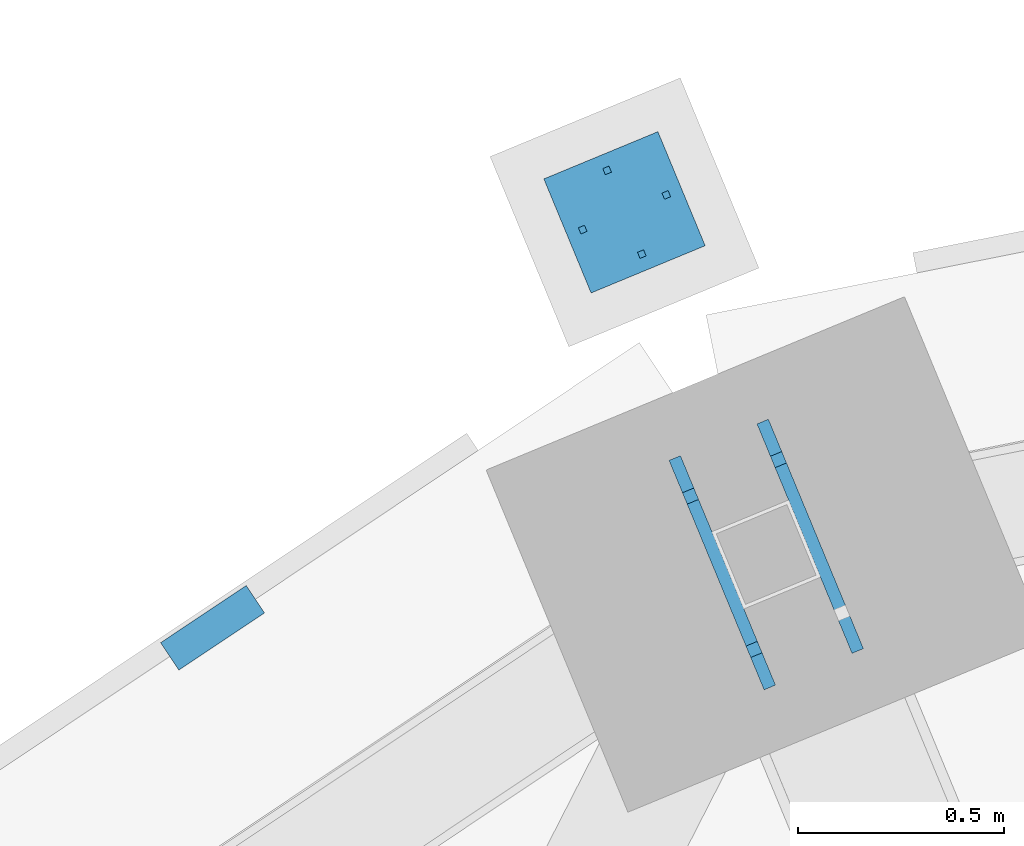
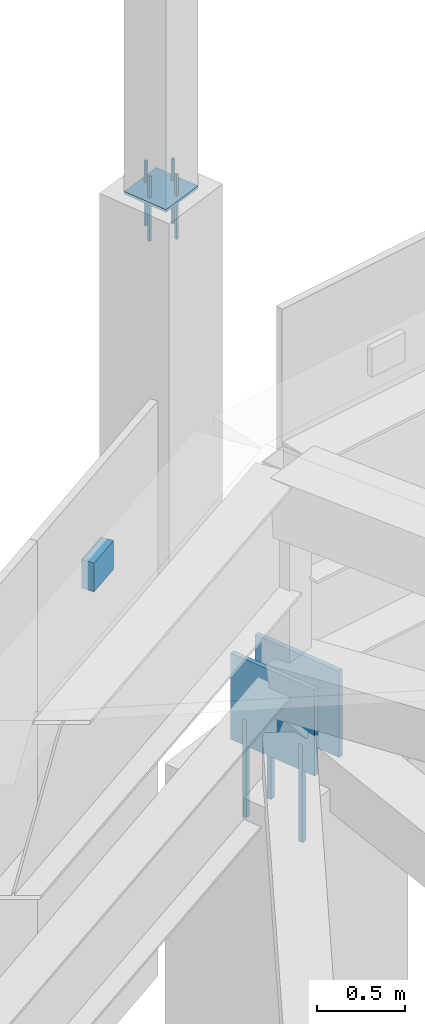
# One storey, part 226 of 278: 7 mechanical fasteners, 4 discrete accessories.
"""IFC4 building model written with IfcOpenShell, lengths in metres."""

from ifc_helpers import new_model, si_unit, direction, frame, origin, origin_2d, place, context, subcontext, project, spatial, rectangle, extrude, material, layer, layer_set, type_object, element, save


model = new_model("IFC4")

# Units and contexts
model_context = context("Model", 3, precision=1e-05, world=origin(), true_north=direction((0.0, 1.0)))
body_context = subcontext(model_context, "Body", "Model", "MODEL_VIEW")
ifc_project = project(units=[si_unit("LENGTHUNIT", "METRE"), si_unit("AREAUNIT", "SQUARE_METRE"), si_unit("VOLUMEUNIT", "CUBIC_METRE"), si_unit("PLANEANGLEUNIT", "RADIAN"), si_unit("MASSUNIT", "GRAM", prefix="KILO")], contexts=[model_context])

# Site, building, storey
site_placement = place(None, origin())
site = spatial("IfcSite", under=ifc_project, at=site_placement, CompositionType="ELEMENT")
building_placement = place(site_placement, origin())
building = spatial("IfcBuilding", under=site, at=building_placement, Name="Ogive Plaza Stadium", CompositionType="ELEMENT")
storey_placement = place(building_placement, frame((0.0, 0.0, 29.0)))
storey = spatial("IfcBuildingStorey", under=building, at=storey_placement, Name="Roof", CompositionType="ELEMENT", Elevation=29.0)

# Mechanical fasteners
ifc_material_1 = material(Name="Steel ASTM A992 Grade 50", Category="steel")
mechanical_fastener_type_1 = type_object("IfcMechanicalFastenerType", Name="Anchor bolt M30 x 600", PredefinedType="ANCHORBOLT", material=ifc_material_1)
for number, where, z_axis, x_axis, name in (
    (1, (-53.318115234375, 98.8359375, 3.0), (0.0, 0.0, 1.0), (-0.382683432365, 0.923879532511, 0.0), "ANCHOR BOLT 31 BF 1.1"),
    (2, (-53.163818359375, 98.46337890625, 3.0), (0.0, 0.0, 1.0), (-0.382683432365, 0.923879532511, 0.0), "ANCHOR BOLT 31 BF 1.2"),
    (3, (-53.1044921875, 98.924560546875, 3.0), (0.0, 0.0, 1.0), (-0.382683432365, 0.923879532511, 0.0), "ANCHOR BOLT 31 BF 2.1"),
):
    element("IfcMechanicalFastener", number, at=place(storey_placement, frame(where, z_axis=z_axis, x_axis=x_axis)), inside=storey, type_object=mechanical_fastener_type_1, Name=name, PredefinedType="ANCHORBOLT", context=body_context, shape_type="SweptSolid", body=[
        extrude(rectangle(XDim=0.030029296875, YDim=0.030029296875, at=origin_2d()), origin(), (0.0, 0.0, 1.0), 0.679931640625),
    ])
ifc_material_2 = material(Name="Steel ASTM A992 Grade 50", Category="steel")
mechanical_fastener_type_2 = type_object("IfcMechanicalFastenerType", Name="Spire anchor bolt M16 x 450", PredefinedType="ANCHORBOLT", material=ifc_material_2)
for number, where, z_axis, x_axis, name in (
    (4, (-53.520751953125, 99.627197265625, 6.7001953125), (0.0, 0.0, 1.0), (-0.382683432365, 0.923879532511, 0.0), "SPIRE ANCHOR BOLT 31 1"),
    (5, (-53.4365234375, 99.423828125, 6.7001953125), (0.0, 0.0, 1.0), (-0.382683432365, 0.923879532511, 0.0), "SPIRE ANCHOR BOLT 31 2"),
    (6, (-53.580078125, 99.4833984375, 6.7001953125), (0.0, 0.0, 1.0), (-0.382683432365, 0.923879532511, 0.0), "SPIRE ANCHOR BOLT 31 3"),
    (7, (-53.376953125, 99.567626953125, 6.7001953125), (0.0, 0.0, 1.0), (-0.382683432365, 0.923879532511, 0.0), "SPIRE ANCHOR BOLT 31 4"),
):
    element("IfcMechanicalFastener", number, at=place(storey_placement, frame(where, z_axis=z_axis, x_axis=x_axis)), inside=storey, type_object=mechanical_fastener_type_2, Name=name, PredefinedType="ANCHORBOLT", context=body_context, shape_type="SweptSolid", body=[
        extrude(rectangle(XDim=0.01611328125, YDim=0.01611328125, at=origin_2d()), origin(), (0.0, 0.0, 1.0), 0.449951171875),
    ])

# Discrete accessories
ifc_material_3 = material(Name="Steel ASTM A992 Grade 50", Category="steel")
ifc_layer_1 = layer(ifc_material_3, 0.02001953125)
ifc_layer_set_1 = layer_set([ifc_layer_1], Name="Steel ASTM A992 Grade 50")
discrete_accessory_type_1 = type_object("IfcDiscreteAccessoryType", Name="Spire seat plate 20", PredefinedType="ANCHORPLATE", material=ifc_layer_set_1)
discrete_accessory_1_placement = place(storey_placement, frame((-53.478515625, 99.525390625, 6.98095703125), z_axis=(0.0, 0.0, 1.0), x_axis=(-0.382683432365, 0.923879532511, 0.0)))
element("IfcDiscreteAccessory", 8, at=discrete_accessory_1_placement, inside=storey, type_object=discrete_accessory_type_1, Name="SPIRE SEAT PLATE 31", PredefinedType="ANCHORPLATE", context=body_context, shape_type="SweptSolid", body=[
    extrude(rectangle(XDim=0.300048828125, YDim=0.300048828125, at=origin_2d()), origin(), (0.0, 0.0, 1.0), 0.02001953125),
])
ifc_material_4 = material(Name="Steel ASTM A572 Grade 50", Category="steel")
ifc_layer_2 = layer(ifc_material_4, 0.080078125)
ifc_layer_set_2 = layer_set([ifc_layer_2], Name="Steel ASTM A572 Grade 50")
discrete_accessory_type_2 = type_object("IfcDiscreteAccessoryType", Name="Tracery screen bracket 250x200", PredefinedType="BRACKET", material=ifc_layer_set_2)
discrete_accessory_2_placement = place(storey_placement, frame((-54.4794921875, 98.515869140625, 5.25), z_axis=(0.0, 0.0, 1.0), x_axis=(0.831469612303, 0.55557023302, 0.0)))
element("IfcDiscreteAccessory", 9, at=discrete_accessory_2_placement, inside=storey, type_object=discrete_accessory_type_2, Name="TRACERY SCREEN BRACKET B30 12", PredefinedType="BRACKET", context=body_context, shape_type="SweptSolid", body=[
    extrude(rectangle(XDim=0.25, YDim=0.080078125, at=origin_2d()), origin(), (0.0, 0.0, 1.0), 0.199951171875),
])
ifc_material_5 = material(Name="Steel ASTM A992 Grade 50", Category="steel")
ifc_layer_3 = layer(ifc_material_5, 0.030029296875)
ifc_layer_set_3 = layer_set([ifc_layer_3], Name="Steel ASTM A992 Grade 50")
discrete_accessory_type_3 = type_object("IfcDiscreteAccessoryType", Name="Truss back-stay foot cleat plate 30", PredefinedType="ANCHORPLATE", material=ifc_layer_set_3)
for number, where, z_axis, x_axis, name in (
    (10, (-53.240966796875, 98.649658203125, 3.5), (0.0, 0.0, 1.0), (-0.382683432365, 0.923879532511, 0.0), "TRUSS BACK-STAY FOOT CLEAT PLATE 31 1"),
    (11, (-53.02734375, 98.73828125, 3.5), (0.0, 0.0, 1.0), (-0.382683432365, 0.923879532511, 0.0), "TRUSS BACK-STAY FOOT CLEAT PLATE 31 2"),
):
    element("IfcDiscreteAccessory", number, at=place(storey_placement, frame(where, z_axis=z_axis, x_axis=x_axis)), inside=storey, type_object=discrete_accessory_type_3, Name=name, PredefinedType="ANCHORPLATE", context=body_context, shape_type="SweptSolid", body=[
        extrude(rectangle(XDim=0.603271484375, YDim=0.030029296875, at=origin_2d()), origin(), (0.0, 0.0, 1.0), 0.60009765625),
    ])

save(model, "model.ifc")
